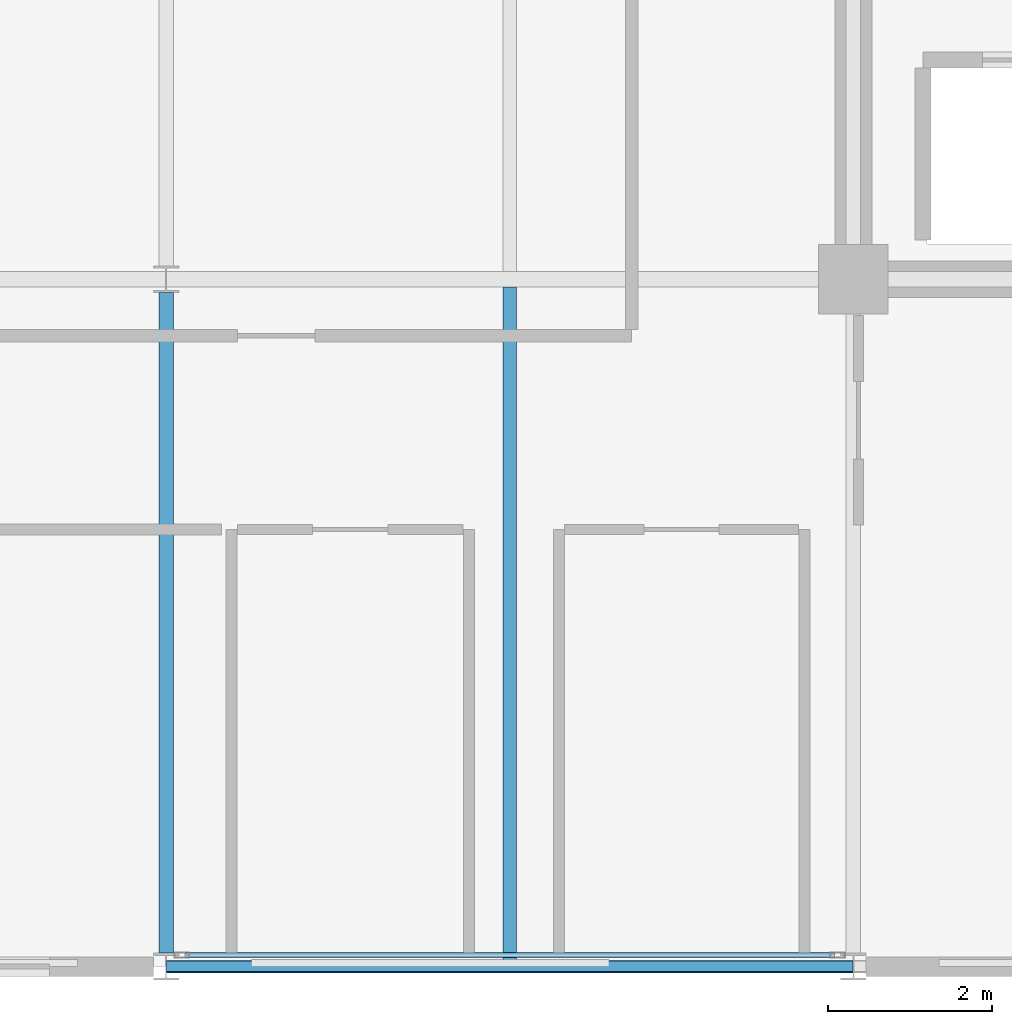
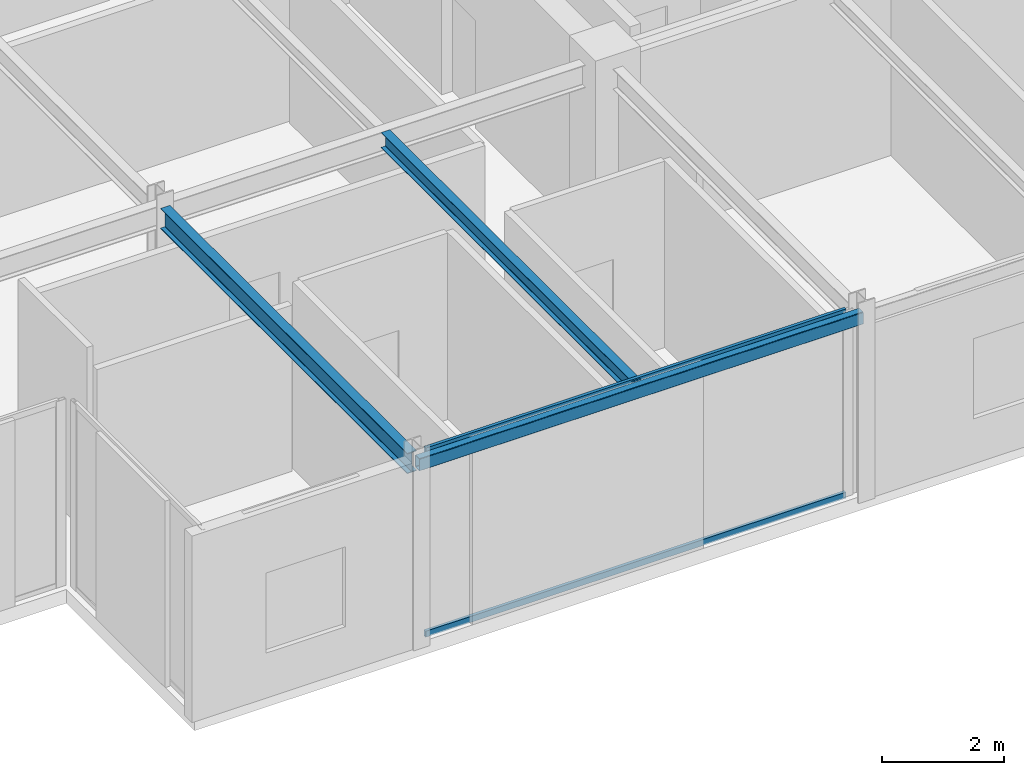
# One storey, part 4 of 24: 3 beams, 2 members, 1 element without a shape of its own.
"""IFC4 building model written with IfcOpenShell, lengths in metres."""

from ifc_helpers import new_model, si_unit, direction, frame, origin, origin_2d, place, context, subcontext, project, spatial, hollow_rectangle, i_section, extrude, material, layer, layer_set, material_profile, profile_set, type_object, element, aggregate, save


model = new_model("IFC4")

# Units and contexts
model_context = context("Model", 3, precision=1e-05, world=origin(), true_north=direction((0.0, 1.0)))
body_context = subcontext(model_context, "Body", "Model", "MODEL_VIEW")
ifc_project = project(units=[si_unit("LENGTHUNIT", "METRE"), si_unit("AREAUNIT", "SQUARE_METRE"), si_unit("VOLUMEUNIT", "CUBIC_METRE"), si_unit("PLANEANGLEUNIT", "RADIAN"), si_unit("MASSUNIT", "GRAM", prefix="KILO")], contexts=[model_context])

# Site, building, storey
site_placement = place(None, origin())
site = spatial("IfcSite", under=ifc_project, at=site_placement, CompositionType="ELEMENT")
building_placement = place(site_placement, origin())
building = spatial("IfcBuilding", under=site, at=building_placement, Name="Nerrivon Quay Data Exchange", CompositionType="ELEMENT")
storey_placement = place(building_placement, frame((0.0, 0.0, 294.199951171875)))
storey = spatial("IfcBuildingStorey", under=building, at=storey_placement, Name="L70", CompositionType="ELEMENT", Elevation=294.199951171875)

# Beams
ifc_material_1 = material(Name="Steel Grade 350", Category="steel")
ifc_material_profile_1 = material_profile(ifc_material_1, i_section(OverallWidth=0.177978515625, OverallDepth=0.406005859375, WebThickness=0.0078125, FlangeThickness=0.0126953125, FilletRadius=0.011474609375, at=origin_2d()), Name="410UB59.7")
ifc_profile_set_1 = profile_set([ifc_material_profile_1], Name="Steel Grade 350")
beam_type_1 = type_object("IfcBeamType", Name="BM-J1-410UB60", PredefinedType="JOIST", material=ifc_profile_set_1)
beam_1_placement = place(storey_placement, frame((8.39990234375, 0.16357421875, 3.52197265625), z_axis=(0.0, 1.0, 0.0), x_axis=(-1.0, 0.0, 0.0)))
element("IfcBeam", 1, at=beam_1_placement, inside=storey, type_object=beam_type_1, Name="L70 NS Girder X=8.4 (0.0..8.4)", PredefinedType="JOIST", context=body_context, shape_type="SweptSolid", body=[
    extrude(i_section(OverallWidth=0.177978515625, OverallDepth=0.406005859375, WebThickness=0.0078125, FlangeThickness=0.0126953125, FilletRadius=0.011474609375, at=origin_2d()), origin(), (0.0, 0.0, 1.0), 8.072998046875),
])
ifc_material_profile_2 = material_profile(ifc_material_1, i_section(OverallWidth=0.1650390625, OverallDepth=0.303955078125, WebThickness=0.006103515625, FlangeThickness=0.01025390625, FilletRadius=0.011474609375, at=origin_2d()), Name="310UB40.4")
ifc_profile_set_2 = profile_set([ifc_material_profile_2], Name="Steel Grade 350")
beam_type_2 = type_object("IfcBeamType", Name="BM-J6-310UB40", PredefinedType="JOIST", material=ifc_profile_set_2)
beam_2_placement = place(storey_placement, frame((12.60009765625, 0.074951171875, 3.572998046875), z_axis=(0.0, 1.0, 0.0), x_axis=(-1.0, 0.0, 0.0)))
element("IfcBeam", 2, at=beam_2_placement, inside=storey, type_object=beam_type_2, Name="L70 Secondary Joist X=12.6 (0.0..8.4)", PredefinedType="JOIST", context=body_context, shape_type="SweptSolid", body=[
    extrude(i_section(OverallWidth=0.1650390625, OverallDepth=0.303955078125, WebThickness=0.006103515625, FlangeThickness=0.01025390625, FilletRadius=0.011474609375, at=origin_2d()), origin(), (0.0, 0.0, 1.0), 8.22998046875),
])
ifc_material_2 = material(Name="Steel Grade C350L0 (350 MPa)", Category="steel")
ifc_material_profile_3 = material_profile(ifc_material_2, hollow_rectangle(XDim=0.14990234375, YDim=0.25, WallThickness=0.009033203125, InnerFilletRadius=0.013427734375, OuterFilletRadius=0.0224609375, at=origin_2d()), Name="250x150x9.0RHS")
ifc_profile_set_3 = profile_set([ifc_material_profile_3], Name="Steel Grade C350L0 (350 MPa)")
beam_type_3 = type_object("IfcBeamType", Name="BM-SP4-250x150RHS", PredefinedType="SPANDREL", material=ifc_profile_set_3)
beam_3_placement = place(storey_placement, frame((8.40771484375, 0.0, 3.60009765625), z_axis=(1.0, 0.0, 0.0), x_axis=(0.0, 1.0, 0.0)))
element("IfcBeam", 3, at=beam_3_placement, inside=storey, type_object=beam_type_3, Name="L70 EW Girder Y=0.0 (8.4..16.8)", PredefinedType="SPANDREL", context=body_context, shape_type="SweptSolid", body=[
    extrude(hollow_rectangle(XDim=0.14990234375, YDim=0.25, WallThickness=0.009033203125, InnerFilletRadius=0.013427734375, OuterFilletRadius=0.0224609375, at=origin_2d()), origin(), (0.0, 0.0, 1.0), 8.38427734375),
])

# Curtain wall, members
ifc_material_3 = material(Name="Anodised aluminium 6063-T6", Category="aluminium")
ifc_layer = layer(ifc_material_3, 0.195068359375)
ifc_layer_set = layer_set([ifc_layer], Name="Anodised aluminium 6063-T6")
curtain_wall_type = type_object("IfcCurtainWallType", Name="CW-SYS-06", PredefinedType="NOTDEFINED", material=ifc_layer_set)
curtain_wall_placement = place(storey_placement, origin())
curtain_wall = element("IfcCurtainWall", 4, at=curtain_wall_placement, inside=storey, type_object=curtain_wall_type, Name="L70 Unitised Curtain Wall 4", PredefinedType="NOTDEFINED")
ifc_material_profile_4 = material_profile(ifc_material_3, hollow_rectangle(XDim=0.06005859375, YDim=0.1201171875, WallThickness=0.003173828125, at=origin_2d()), Name="ALU-TRAN-120x60")
ifc_profile_set_4 = profile_set([ifc_material_profile_4], Name="Anodised aluminium 6063-T6")
member_type = type_object("IfcMemberType", Name="CWT-120x60", PredefinedType="USERDEFINED", material=ifc_profile_set_4)
member_1_placement = place(storey_placement, frame((16.569580078125, 0.139892578125, 0.032470703125), z_axis=(-1.0, 0.0, 0.0), x_axis=(0.0, -1.0, 0.0)))
member_1 = element("IfcMember", 5, at=member_1_placement, type_object=member_type, Name="CW06 transom 1.1", ObjectType="TRANSOM", PredefinedType="USERDEFINED", context=body_context, shape_type="SweptSolid", body=[
    extrude(hollow_rectangle(XDim=0.06005859375, YDim=0.1201171875, WallThickness=0.003173828125, at=origin_2d()), origin(), (0.0, 0.0, 1.0), 7.93896484375),
])
member_2_placement = place(storey_placement, frame((16.569580078125, 0.139892578125, 3.692626953125), z_axis=(-1.0, 0.0, 0.0), x_axis=(0.0, -1.0, 0.0)))
member_2 = element("IfcMember", 6, at=member_2_placement, type_object=member_type, Name="CW06 transom 1.2", ObjectType="TRANSOM", PredefinedType="USERDEFINED", context=body_context, shape_type="SweptSolid", body=[
    extrude(hollow_rectangle(XDim=0.06005859375, YDim=0.1201171875, WallThickness=0.003173828125, at=origin_2d()), origin(), (0.0, 0.0, 1.0), 7.93896484375),
])
aggregate(curtain_wall, [member_1, member_2])

save(model, "model.ifc")
